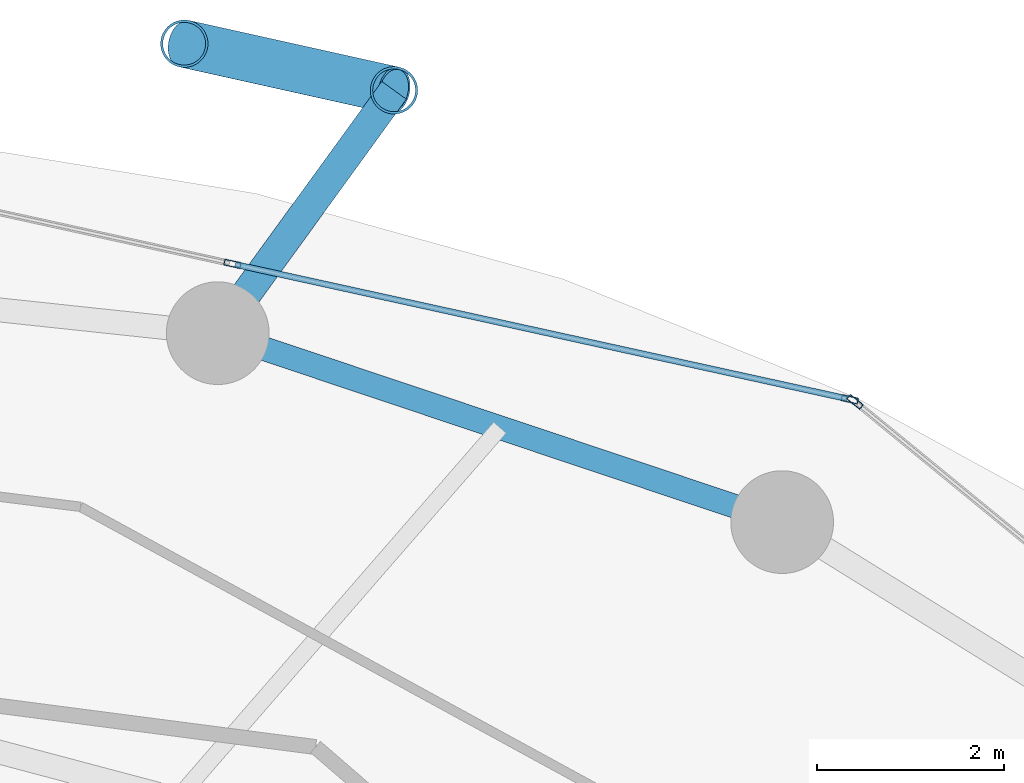
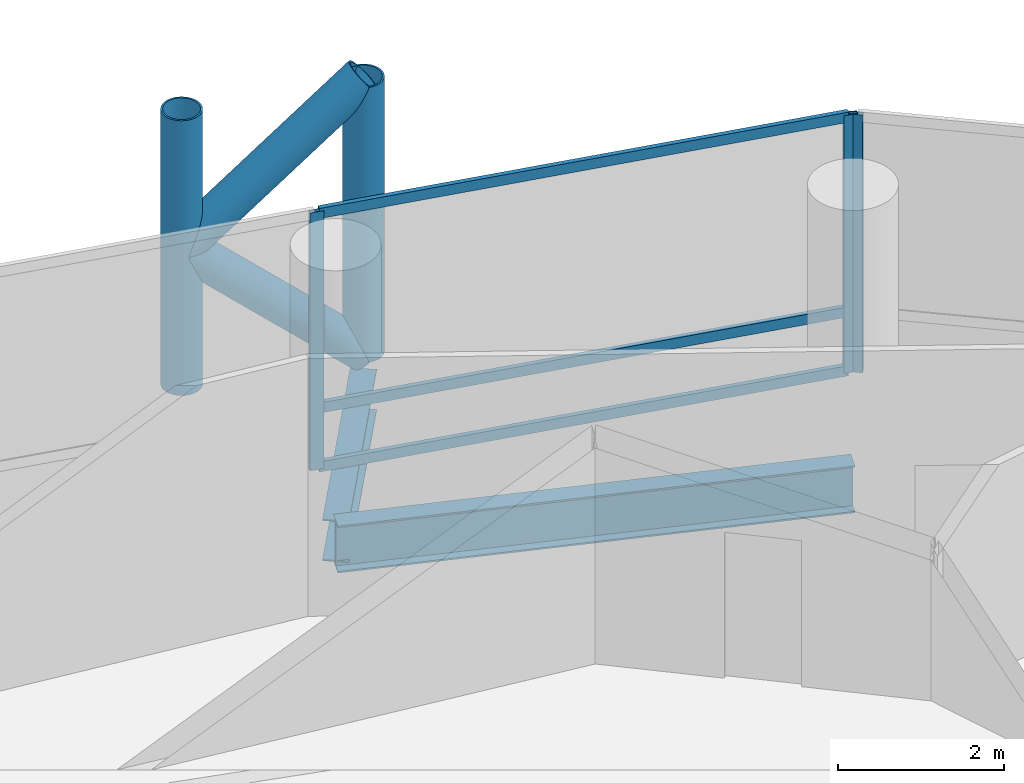
# One storey, part 18 of 26: 10 members, 2 beams, 2 elements without a shape of their own.
"""IFC4 building model written with IfcOpenShell, lengths in metres."""

from ifc_helpers import new_model, si_unit, direction, frame, origin, origin_2d, place, context, subcontext, project, spatial, hollow_rectangle, hollow_circle, i_section, extrude, material, layer, layer_set, material_profile, profile_set, type_object, element, aggregate, save


model = new_model("IFC4")

# Units and contexts
model_context = context("Model", 3, precision=1e-05, world=origin(), true_north=direction((0.0, 1.0)))
body_context = subcontext(model_context, "Body", "Model", "MODEL_VIEW")
ifc_project = project(units=[si_unit("LENGTHUNIT", "METRE"), si_unit("AREAUNIT", "SQUARE_METRE"), si_unit("VOLUMEUNIT", "CUBIC_METRE"), si_unit("PLANEANGLEUNIT", "RADIAN"), si_unit("MASSUNIT", "GRAM", prefix="KILO")], contexts=[model_context])

# Site, building, storey
site_placement = place(None, origin())
site = spatial("IfcSite", under=ifc_project, at=site_placement, CompositionType="ELEMENT")
building_placement = place(site_placement, origin())
building = spatial("IfcBuilding", under=site, at=building_placement, Name="Nuhasar Tower", CompositionType="ELEMENT")
storey_placement = place(building_placement, frame((0.0, 0.0, 53.39990234375)))
storey = spatial("IfcBuildingStorey", under=building, at=storey_placement, Name="L12", CompositionType="ELEMENT", Elevation=53.39990234375)

# Beams
ifc_material_1 = material(Name="Steel S355", Category="steel")
ifc_material_profile_1 = material_profile(ifc_material_1, i_section(OverallWidth=0.256103515625, OverallDepth=0.693115234375, WebThickness=0.014404296875, FlangeThickness=0.023681640625, at=origin_2d()), Name="W27X114")
ifc_profile_set_1 = profile_set([ifc_material_profile_1], Name="Steel S355")
beam_type_1 = type_object("IfcBeamType", Name="BM-RING-W27X114", PredefinedType="SPANDREL", material=ifc_profile_set_1)
beam_1_placement = place(storey_placement, frame((51.52490234375, 44.3369140625, -0.60595703125), z_axis=(-0.948249435708, 0.317526388949, 0.0), x_axis=(-0.317526388949, -0.948249435708, 0.0)))
element("IfcBeam", 1, at=beam_1_placement, inside=storey, type_object=beam_type_1, Name="L12 Perimeter Ring Spandrel 05", PredefinedType="SPANDREL", context=body_context, shape_type="SweptSolid", body=[
    extrude(i_section(OverallWidth=0.256103515625, OverallDepth=0.693115234375, WebThickness=0.014404296875, FlangeThickness=0.023681640625, at=origin_2d()), origin(), (0.0, 0.0, 1.0), 6.371826171875),
])
ifc_material_profile_2 = material_profile(ifc_material_1, i_section(OverallWidth=0.323974609375, OverallDepth=0.611083984375, WebThickness=0.0126953125, FlangeThickness=0.01904296875, at=origin_2d()), Name="W24X104")
ifc_profile_set_2 = profile_set([ifc_material_profile_2], Name="Steel S355")
beam_type_2 = type_object("IfcBeamType", Name="BM-TIE-W24X104", PredefinedType="BEAM", material=ifc_profile_set_2)
beam_2_placement = place(storey_placement, frame((45.48291015625, 46.360107421875, -0.56591796875), z_axis=(0.587439442414, 0.809268127073, 0.0), x_axis=(-0.809268127073, 0.587439442414, 0.0)))
element("IfcBeam", 2, at=beam_2_placement, inside=storey, type_object=beam_type_2, Name="L12 Exoskeleton Node Tie Beam 03", PredefinedType="BEAM", context=body_context, shape_type="SweptSolid", body=[
    extrude(i_section(OverallWidth=0.323974609375, OverallDepth=0.611083984375, WebThickness=0.0126953125, FlangeThickness=0.01904296875, at=origin_2d()), origin(), (0.0, 0.0, 1.0), 3.212646484375),
])

# Curtain wall, member
ifc_material_2 = material(Name="Aluminium 6063-T6", Category="aluminium")
ifc_layer = layer(ifc_material_2, 0.199951171875)
ifc_layer_set = layer_set([ifc_layer], Name="Aluminium 6063-T6")
curtain_wall_type = type_object("IfcCurtainWallType", Name="CW-Z1-OFF", PredefinedType="NOTDEFINED", material=ifc_layer_set)
curtain_wall_1_placement = place(storey_placement, origin())
curtain_wall_1 = element("IfcCurtainWall", 3, at=curtain_wall_1_placement, inside=storey, type_object=curtain_wall_type, Name="L12 Unitised Curtain Wall 02", PredefinedType="NOTDEFINED")
ifc_material_profile_3 = material_profile(ifc_material_2, hollow_rectangle(XDim=0.06494140625, YDim=0.179931640625, WallThickness=0.0048828125, at=origin_2d()), Name="CWM-2")
ifc_profile_set_3 = profile_set([ifc_material_profile_3], Name="Aluminium 6063-T6")
member_type_1 = type_object("IfcMemberType", Name="CW-MUL-S2", PredefinedType="MULLION", material=ifc_profile_set_3)
member_1_placement = place(storey_placement, frame((52.30517578125, 45.62451171875, 0.0), z_axis=(0.0, 0.0, 1.0), x_axis=(-0.633744593376, -0.773542364946, 0.0)))
member_1 = element("IfcMember", 4, at=member_1_placement, type_object=member_type_1, Name="CW-Z1 mullion 2", PredefinedType="MULLION", context=body_context, shape_type="SweptSolid", body=[
    extrude(hollow_rectangle(XDim=0.06494140625, YDim=0.179931640625, WallThickness=0.0048828125, at=origin_2d()), origin(), (0.0, 0.0, 1.0), 3.800048828125),
])
aggregate(curtain_wall_1, [member_1])

# Curtain wall, members
curtain_wall_2_placement = place(storey_placement, origin())
curtain_wall_2 = element("IfcCurtainWall", 5, at=curtain_wall_2_placement, inside=storey, type_object=curtain_wall_type, Name="L12 Unitised Curtain Wall 03", PredefinedType="NOTDEFINED")
member_2_placement = place(storey_placement, frame((52.248291015625, 45.65185546875, 0.0), z_axis=(0.0, 0.0, 1.0), x_axis=(-0.214398737637, -0.976746221544, 0.0)))
member_2 = element("IfcMember", 6, at=member_2_placement, type_object=member_type_1, Name="CW-Z1 mullion 1", PredefinedType="MULLION", context=body_context, shape_type="SweptSolid", body=[
    extrude(hollow_rectangle(XDim=0.06494140625, YDim=0.179931640625, WallThickness=0.0048828125, at=origin_2d()), origin(), (0.0, 0.0, 1.0), 3.800048828125),
])
member_3_placement = place(storey_placement, frame((45.639892578125, 47.1025390625, 0.0), z_axis=(0.0, 0.0, 1.0), x_axis=(-0.214398737637, -0.976746221544, 0.0)))
member_3 = element("IfcMember", 7, at=member_3_placement, type_object=member_type_1, Name="CW-Z1 mullion 2", PredefinedType="MULLION", context=body_context, shape_type="SweptSolid", body=[
    extrude(hollow_rectangle(XDim=0.06494140625, YDim=0.179931640625, WallThickness=0.0048828125, at=origin_2d()), origin(), (0.0, 0.0, 1.0), 3.800048828125),
])
ifc_material_profile_4 = material_profile(ifc_material_2, hollow_rectangle(XDim=0.06494140625, YDim=0.14990234375, WallThickness=0.00439453125, at=origin_2d()), Name="CWT-2")
ifc_profile_set_4 = profile_set([ifc_material_profile_4], Name="Aluminium 6063-T6")
member_type_2 = type_object("IfcMemberType", Name="CW-TRN-S2", PredefinedType="USERDEFINED", material=ifc_profile_set_4)
member_4_placement = place(storey_placement, frame((52.216552734375, 45.658935546875, 0.03271484375), z_axis=(-0.976749553792, 0.214383556196, 0.0), x_axis=(-0.214383556196, -0.976749553792, 0.0)))
member_4 = element("IfcMember", 8, at=member_4_placement, type_object=member_type_2, Name="CW-Z1 transom 1.1", ObjectType="TRANSOM", PredefinedType="USERDEFINED", context=body_context, shape_type="SweptSolid", body=[
    extrude(hollow_rectangle(XDim=0.06494140625, YDim=0.14990234375, WallThickness=0.00439453125, at=origin_2d()), origin(), (0.0, 0.0, 1.0), 6.70068359375),
])
member_5_placement = place(storey_placement, frame((52.216552734375, 45.658935546875, 0.900146484375), z_axis=(-0.976749553792, 0.214383556196, 0.0), x_axis=(-0.214383556196, -0.976749553792, 0.0)))
member_5 = element("IfcMember", 9, at=member_5_placement, type_object=member_type_2, Name="CW-Z1 transom 1.2", ObjectType="TRANSOM", PredefinedType="USERDEFINED", context=body_context, shape_type="SweptSolid", body=[
    extrude(hollow_rectangle(XDim=0.06494140625, YDim=0.14990234375, WallThickness=0.00439453125, at=origin_2d()), origin(), (0.0, 0.0, 1.0), 6.70068359375),
])
member_6_placement = place(storey_placement, frame((52.216552734375, 45.658935546875, 3.767578125), z_axis=(-0.976749553792, 0.214383556196, 0.0), x_axis=(-0.214383556196, -0.976749553792, 0.0)))
member_6 = element("IfcMember", 10, at=member_6_placement, type_object=member_type_2, Name="CW-Z1 transom 1.3", ObjectType="TRANSOM", PredefinedType="USERDEFINED", context=body_context, shape_type="SweptSolid", body=[
    extrude(hollow_rectangle(XDim=0.06494140625, YDim=0.14990234375, WallThickness=0.00439453125, at=origin_2d()), origin(), (0.0, 0.0, 1.0), 6.70068359375),
])
aggregate(curtain_wall_2, [member_2, member_3, member_4, member_5, member_6])

# Members
ifc_material_3 = material(Name="Steel S460", Category="steel")
ifc_material_profile_5 = material_profile(ifc_material_3, hollow_circle(Radius=0.25390625, WallThickness=0.025390625, at=origin_2d()), Name="HSS508X25.4")
ifc_profile_set_5 = profile_set([ifc_material_profile_5], Name="Steel S460")
member_type_3 = type_object("IfcMemberType", Name="EXO-BRONZE-508", PredefinedType="BRACE", material=ifc_profile_set_5)
for number, where, z_axis, x_axis, name in (
    (11, (47.3701171875, 48.9599609375, 0.0), (0.0, 0.0, 1.0), (1.0, 0.0, 0.0), "L12 Exoskeleton Chord Column EC-03A"),
    (12, (45.1240234375, 49.458984375, 0.0), (0.0, 0.0, 1.0), (1.0, 0.0, 0.0), "L12 Exoskeleton Chord Column EC-03B"),
):
    element("IfcMember", number, at=place(storey_placement, frame(where, z_axis=z_axis, x_axis=x_axis)), inside=storey, type_object=member_type_3, Name=name, PredefinedType="BRACE", context=body_context, shape_type="SweptSolid", body=[
        extrude(hollow_circle(Radius=0.25390625, WallThickness=0.025390625, at=origin_2d()), origin(), (0.0, 0.0, 1.0), 4.050048828125),
    ])
member_7_placement = place(storey_placement, frame((47.3701171875, 48.9599609375, 0.0), z_axis=(-0.732782908552, 0.162805246204, 0.660699372439), x_axis=(-0.216885517571, -0.97619704582, 0.0)))
element("IfcMember", 13, at=member_7_placement, inside=storey, type_object=member_type_3, Name="L12 Bronze Diagrid Brace W1-03", PredefinedType="BRACE", context=body_context, shape_type="SweptSolid", body=[
    extrude(hollow_circle(Radius=0.25390625, WallThickness=0.025390625, at=origin_2d()), origin(), (0.0, 0.0, 1.0), 3.065185546875),
])
member_8_placement = place(storey_placement, frame((45.1240234375, 49.458984375, 2.025146484375), z_axis=(0.732821471909, -0.162813813976, 0.660654487828), x_axis=(0.216885517571, 0.97619704582, 0.0)))
element("IfcMember", 14, at=member_8_placement, inside=storey, type_object=member_type_3, Name="L12 Bronze Diagrid Brace W2-03", PredefinedType="BRACE", context=body_context, shape_type="SweptSolid", body=[
    extrude(hollow_circle(Radius=0.25390625, WallThickness=0.025390625, at=origin_2d()), origin(), (0.0, 0.0, 1.0), 3.06494140625),
])

save(model, "model.ifc")
